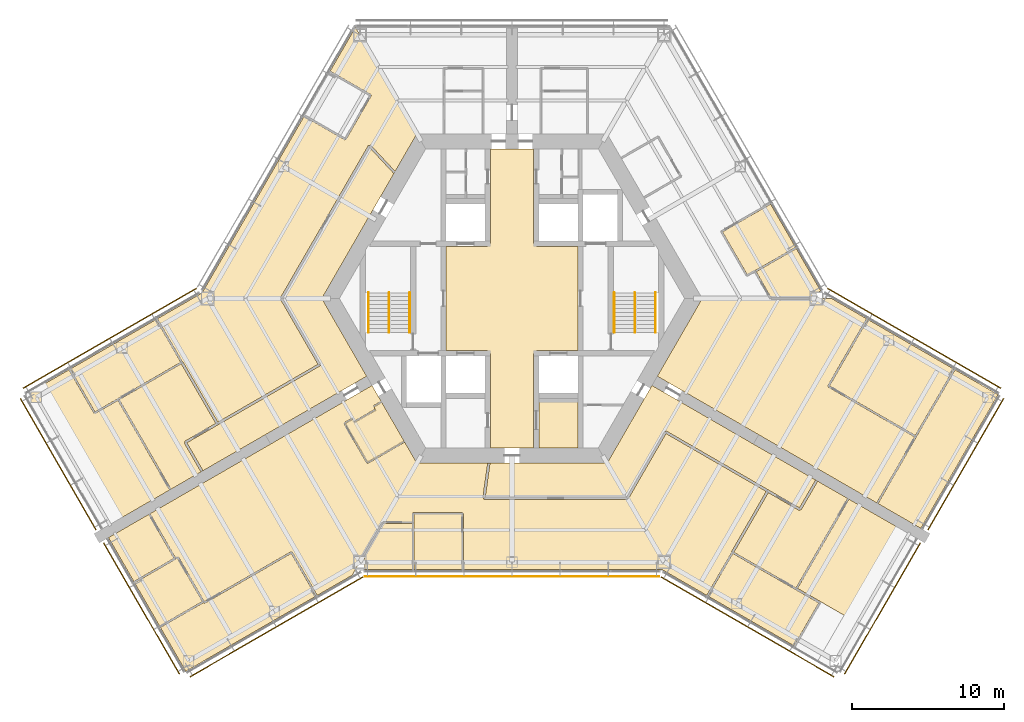
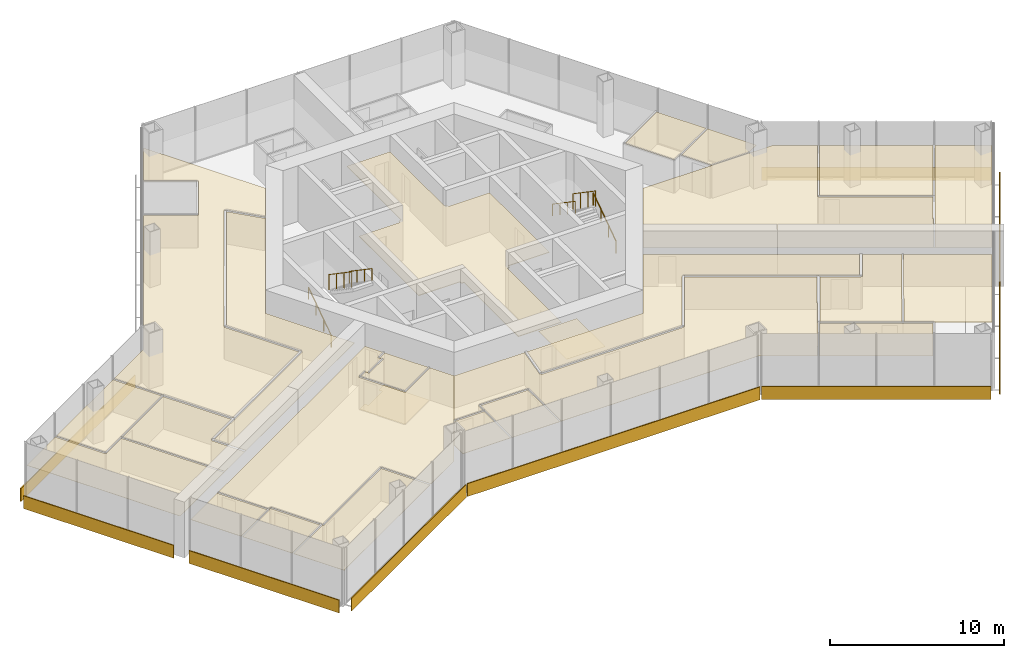
# One storey, part 17 of 18: 25 coverings, 9 shading devices, 6 railings.
"""IFC4 building model written with IfcOpenShell, lengths in metres."""

from ifc_helpers import new_model, si_unit, direction, frame, origin, origin_2d, place, context, subcontext, project, spatial, polyline, rectangle, circle, outline, extrude, material, layer, layer_set, type_object, element, save


model = new_model("IFC4")

# Units and contexts
model_context = context("Model", 3, precision=1e-05, world=origin(), true_north=direction((0.0, 1.0)))
body_context = subcontext(model_context, "Body", "Model", "MODEL_VIEW")
ifc_project = project(units=[si_unit("LENGTHUNIT", "METRE"), si_unit("AREAUNIT", "SQUARE_METRE"), si_unit("VOLUMEUNIT", "CUBIC_METRE"), si_unit("PLANEANGLEUNIT", "RADIAN"), si_unit("MASSUNIT", "GRAM", prefix="KILO")], contexts=[model_context])

# Site, building, storey
site_placement = place(None, origin())
site = spatial("IfcSite", under=ifc_project, at=site_placement, CompositionType="ELEMENT")
building_placement = place(site_placement, origin())
building = spatial("IfcBuilding", under=site, at=building_placement, Name="Kasaneha Research Tower", CompositionType="ELEMENT")
storey_placement = place(building_placement, frame((0.0, 0.0, 199.39990234375)))
storey = spatial("IfcBuildingStorey", under=building, at=storey_placement, Name="L50", CompositionType="ELEMENT", Elevation=199.39990234375)

# Covering
ifc_material_1 = material(Name="Aluminium panel ceiling", Category="aluminium")
ifc_layer_1 = layer(ifc_material_1, 0.0400390625)
ifc_layer_set_1 = layer_set([ifc_layer_1], Name="Lift lobby ceiling 40")
covering_type_1 = type_object("IfcCoveringType", Name="Lift lobby ceiling 40", PredefinedType="CEILING", material=ifc_layer_set_1)
covering_1_placement = place(storey_placement, frame((0.0, 0.0, 2.7001953125)))
element("IfcCovering", 1, at=covering_1_placement, inside=storey, type_object=covering_type_1, Name="Ceiling L50-01", PredefinedType="CEILING", context=body_context, shape_type="SweptSolid", body=[
    extrude(outline(polyline([(1.425048828125, 9.824951171875), (1.425048828125, 3.60009765625), (1.60009765625, 3.60009765625), (1.60009765625, 3.425048828125), (4.324951171875, 3.425048828125), (4.324951171875, -3.425048828125), (1.60009765625, -3.425048828125), (1.60009765625, -3.60009765625), (1.425048828125, -3.60009765625), (1.425048828125, -9.824951171875), (-1.425048828125, -9.824951171875), (-1.425048828125, -3.60009765625), (-1.60009765625, -3.60009765625), (-1.60009765625, -3.425048828125), (-4.324951171875, -3.425048828125), (-4.324951171875, 3.425048828125), (-1.60009765625, 3.425048828125), (-1.60009765625, 3.60009765625), (-1.425048828125, 3.60009765625), (-1.425048828125, 9.824951171875), (1.425048828125, 9.824951171875)])), origin(), (0.0, 0.0, 1.0), 0.039794921875),
])

# Railings
ifc_material_2 = material(Name="Steel", Category="steel")
railing_type_1 = type_object("IfcRailingType", Name="Stair balustrade 1100", PredefinedType="GUARDRAIL", material=ifc_material_2)
for number, where, name in (
    (2, (8.074951171875, 0.375, 2.12744140625), "Stair 1 balustrade L50"),
    (3, (-8.074951171875, 0.375, 2.12744140625), "Stair 2 balustrade L50"),
):
    element("IfcRailing", number, at=place(storey_placement, frame(where)), inside=storey, type_object=railing_type_1, Name=name, PredefinedType="GUARDRAIL", context=body_context, shape_type="SweptSolid", body=[
        extrude(circle(Radius=0.02392578125, at=origin_2d()), frame((0.0, 0.0, 1.076171875), z_axis=(0.0, -0.826240473404, 0.563317565952), x_axis=(1.0, 0.0, 0.0)), (0.0, 0.0, 1.0), 3.14697265625),
        extrude(circle(Radius=0.02099609375, at=origin_2d()), origin(), (0.0, 0.0, 1.0), 1.052001953125),
        extrude(circle(Radius=0.02099609375, at=origin_2d()), frame((0.0, -0.86669921875, 0.5908203125)), (0.0, 0.0, 1.0), 1.052001953125),
        extrude(circle(Radius=0.02099609375, at=origin_2d()), frame((0.0, -1.7333984375, 1.181884765625)), (0.0, 0.0, 1.0), 1.052001953125),
        extrude(circle(Radius=0.02099609375, at=origin_2d()), frame((0.0, -2.60009765625, 1.772705078125)), (0.0, 0.0, 1.0), 1.052001953125),
    ])
ifc_material_3 = material(Name="Steel", Category="steel")
railing_type_2 = type_object("IfcRailingType", Name="Stair handrail 850", PredefinedType="HANDRAIL", material=ifc_material_3)
railing_1_placement = place(storey_placement, frame((9.425048828125, -2.22509765625, 0.177490234375)))
element("IfcRailing", 4, at=railing_1_placement, inside=storey, type_object=railing_type_2, Name="Stair 1 handrail L50", PredefinedType="HANDRAIL", context=body_context, shape_type="SweptSolid", body=[
    extrude(circle(Radius=0.02392578125, at=origin_2d()), frame((0.0, 0.0, 0.826171875), z_axis=(0.0, 0.826240473404, 0.563317565952), x_axis=(-1.0, 0.0, 0.0)), (0.0, 0.0, 1.0), 3.14697265625),
    extrude(circle(Radius=0.02099609375, at=origin_2d()), origin(), (0.0, 0.0, 1.0), 0.802001953125),
    extrude(circle(Radius=0.02099609375, at=origin_2d()), frame((0.0, 0.86669921875, 0.5908203125)), (0.0, 0.0, 1.0), 0.802001953125),
    extrude(circle(Radius=0.02099609375, at=origin_2d()), frame((0.0, 1.7333984375, 1.181884765625)), (0.0, 0.0, 1.0), 0.802001953125),
    extrude(circle(Radius=0.02099609375, at=origin_2d()), frame((0.0, 2.60009765625, 1.772705078125)), (0.0, 0.0, 1.0), 0.802001953125),
])
railing_2_placement = place(storey_placement, frame((6.72509765625, 0.375, 2.12744140625)))
element("IfcRailing", 5, at=railing_2_placement, inside=storey, type_object=railing_type_2, Name="Stair 1 handrail L50", PredefinedType="HANDRAIL", context=body_context, shape_type="SweptSolid", body=[
    extrude(circle(Radius=0.02392578125, at=origin_2d()), frame((0.0, 0.0, 0.826171875), z_axis=(0.0, -0.826240473404, 0.563317565952), x_axis=(1.0, 0.0, 0.0)), (0.0, 0.0, 1.0), 3.14697265625),
    extrude(circle(Radius=0.02099609375, at=origin_2d()), origin(), (0.0, 0.0, 1.0), 0.802001953125),
    extrude(circle(Radius=0.02099609375, at=origin_2d()), frame((0.0, -0.86669921875, 0.5908203125)), (0.0, 0.0, 1.0), 0.802001953125),
    extrude(circle(Radius=0.02099609375, at=origin_2d()), frame((0.0, -1.7333984375, 1.181884765625)), (0.0, 0.0, 1.0), 0.802001953125),
    extrude(circle(Radius=0.02099609375, at=origin_2d()), frame((0.0, -2.60009765625, 1.772705078125)), (0.0, 0.0, 1.0), 0.802001953125),
])
railing_3_placement = place(storey_placement, frame((-9.425048828125, -2.22509765625, 0.177490234375)))
element("IfcRailing", 6, at=railing_3_placement, inside=storey, type_object=railing_type_2, Name="Stair 2 handrail L50", PredefinedType="HANDRAIL", context=body_context, shape_type="SweptSolid", body=[
    extrude(circle(Radius=0.02392578125, at=origin_2d()), frame((0.0, 0.0, 0.826171875), z_axis=(0.0, 0.826240473404, 0.563317565952), x_axis=(-1.0, 0.0, 0.0)), (0.0, 0.0, 1.0), 3.14697265625),
    extrude(circle(Radius=0.02099609375, at=origin_2d()), origin(), (0.0, 0.0, 1.0), 0.802001953125),
    extrude(circle(Radius=0.02099609375, at=origin_2d()), frame((0.0, 0.86669921875, 0.5908203125)), (0.0, 0.0, 1.0), 0.802001953125),
    extrude(circle(Radius=0.02099609375, at=origin_2d()), frame((0.0, 1.7333984375, 1.181884765625)), (0.0, 0.0, 1.0), 0.802001953125),
    extrude(circle(Radius=0.02099609375, at=origin_2d()), frame((0.0, 2.60009765625, 1.772705078125)), (0.0, 0.0, 1.0), 0.802001953125),
])
railing_4_placement = place(storey_placement, frame((-6.72509765625, 0.375, 2.12744140625)))
element("IfcRailing", 7, at=railing_4_placement, inside=storey, type_object=railing_type_2, Name="Stair 2 handrail L50", PredefinedType="HANDRAIL", context=body_context, shape_type="SweptSolid", body=[
    extrude(circle(Radius=0.02392578125, at=origin_2d()), frame((0.0, 0.0, 0.826171875), z_axis=(0.0, -0.826240473404, 0.563317565952), x_axis=(1.0, 0.0, 0.0)), (0.0, 0.0, 1.0), 3.14697265625),
    extrude(circle(Radius=0.02099609375, at=origin_2d()), origin(), (0.0, 0.0, 1.0), 0.802001953125),
    extrude(circle(Radius=0.02099609375, at=origin_2d()), frame((0.0, -0.86669921875, 0.5908203125)), (0.0, 0.0, 1.0), 0.802001953125),
    extrude(circle(Radius=0.02099609375, at=origin_2d()), frame((0.0, -1.7333984375, 1.181884765625)), (0.0, 0.0, 1.0), 0.802001953125),
    extrude(circle(Radius=0.02099609375, at=origin_2d()), frame((0.0, -2.60009765625, 1.772705078125)), (0.0, 0.0, 1.0), 0.802001953125),
])

# Coverings
ifc_material_4 = material(Name="Gypsum ceiling board", Category="gypsum")
ifc_layer_2 = layer(ifc_material_4, 0.02001953125)
ifc_layer_set_2 = layer_set([ifc_layer_2], Name="Suspended ceiling 20")
covering_type_2 = type_object("IfcCoveringType", Name="Suspended ceiling 20", PredefinedType="CEILING", material=ifc_layer_set_2)
covering_2_placement = place(storey_placement, frame((0.0, 0.0, 2.25)))
element("IfcCovering", 8, at=covering_2_placement, inside=storey, type_object=covering_type_2, Name="Ceiling L50-30", PredefinedType="CEILING", context=body_context, shape_type="SweptSolid", body=[
    extrude(outline(polyline([(18.65869140625, 3.323486328125), (18.64111328125, 3.3134765625), (18.6162109375, 3.356689453125), (15.944580078125, 1.814208984375), (15.944580078125, 1.814208984375), (15.451171875, 1.578857421875), (13.835693359375, 4.376953125), (16.99658203125, 6.201904296875), (18.65869140625, 3.323486328125)])), origin(), (0.0, 0.0, 1.0), 0.02001953125),
])
covering_3_placement = place(storey_placement, frame((0.0, 0.0, 2.25)))
element("IfcCovering", 9, at=covering_3_placement, inside=storey, type_object=covering_type_2, Name="Ceiling L50-31", PredefinedType="CEILING", context=body_context, shape_type="SweptSolid", body=[
    extrude(outline(polyline([(16.997802734375, 0.0), (16.986328125, 0.02001953125), (17.029541015625, 0.044921875), (16.0458984375, 1.75732421875), (18.666259765625, 3.27001953125), (18.64111328125, 3.3134765625), (18.65869140625, 3.323486328125), (20.28759765625, 0.501708984375), (19.41845703125, 0.0), (16.997802734375, 0.0)])), origin(), (0.0, 0.0, 1.0), 0.02001953125),
])
covering_4_placement = place(storey_placement, frame((0.0, 0.0, 2.25)))
element("IfcCovering", 10, at=covering_4_placement, inside=storey, type_object=covering_type_2, Name="Ceiling L50-36", PredefinedType="CEILING", context=body_context, shape_type="SweptSolid", body=[
    extrude(outline(polyline([(-9.5498046875, -5.109375), (-10.3291015625, -5.559326171875), (-10.3291015625, -5.559326171875), (-20.37109375, -11.357177734375), (-20.381103515625, -11.33984375), (-20.316162109375, -11.30224609375), (-21.36865234375, -9.479248046875), (-19.333984375, -8.3046875), (-19.333984375, -8.3046875), (-12.60400390625, -4.4189453125), (-12.6416015625, -4.35400390625), (-12.57666015625, -4.316650390625), (-15.06884765625, 0.0), (-9.345947265625, 9.912353515625), (-7.7890625, 8.24267578125), (-7.734130859375, 8.2939453125), (-7.719970703125, 8.278564453125), (-12.49951171875, 0.0), (-9.5498046875, -5.109375)])), origin(), (0.0, 0.0, 1.0), 0.02001953125),
])
covering_5_placement = place(storey_placement, frame((0.0, 0.0, 2.25)))
element("IfcCovering", 11, at=covering_5_placement, inside=storey, type_object=covering_type_2, Name="Ceiling L50-37", PredefinedType="CEILING", context=body_context, shape_type="SweptSolid", body=[
    extrude(outline(polyline([(-29.075439453125, -4.661865234375), (-29.065185546875, -4.6796875), (-29.108642578125, -4.70458984375), (-27.46826171875, -7.544921875), (-27.425048828125, -7.52001953125), (-27.400146484375, -7.5634765625), (-25.89404296875, -6.69921875), (-22.5029296875, -12.56494140625), (-22.459716796875, -12.539794921875), (-22.44970703125, -12.55712890625), (-23.827392578125, -13.3525390625), (-26.866455078125, -15.107177734375), (-31.94189453125, -6.317138671875), (-29.075439453125, -4.661865234375)])), origin(), (0.0, 0.0, 1.0), 0.02001953125),
])
covering_6_placement = place(storey_placement, frame((0.0, 0.0, 2.25)))
element("IfcCovering", 12, at=covering_6_placement, inside=storey, type_object=covering_type_2, Name="Ceiling L50-38", PredefinedType="CEILING", context=body_context, shape_type="SweptSolid", body=[
    extrude(outline(polyline([(-23.34228515625, -1.352294921875), (-23.332275390625, -1.36962890625), (-23.37548828125, -1.39453125), (-21.766845703125, -4.1904296875), (-25.903076171875, -6.583740234375), (-25.900634765625, -6.587890625), (-27.40673828125, -7.451904296875), (-29.02197265625, -4.654541015625), (-29.06494140625, -4.679443359375), (-29.074951171875, -4.662109375), (-23.34228515625, -1.352294921875)])), origin(), (0.0, 0.0, 1.0), 0.02001953125),
])
covering_7_placement = place(storey_placement, frame((0.0, 0.0, 2.25)))
element("IfcCovering", 13, at=covering_7_placement, inside=storey, type_object=covering_type_2, Name="Ceiling L50-40", PredefinedType="CEILING", context=body_context, shape_type="SweptSolid", body=[
    extrude(outline(polyline([(-9.360595703125, 10.037841796875), (-9.360595703125, 10.037841796875), (-9.425048828125, 10.0751953125), (-15.220458984375, 0.03759765625), (-15.15576171875, 0.000244140625), (-15.156005859375, 0.000244140625), (-15.15576171875, -0.000244140625), (-15.220458984375, -0.03759765625), (-12.744140625, -4.32666015625), (-19.33544921875, -8.13232421875), (-21.62939453125, -4.16845703125), (-21.6552734375, -4.18359375), (-23.288818359375, -1.3447265625), (-23.331787109375, -1.369384765625), (-23.341796875, -1.35205078125), (-20.365966796875, 0.365966796875), (-13.64111328125, 12.01416015625), (-13.62353515625, 12.004150390625), (-13.6484375, 11.961181640625), (-10.981201171875, 10.421142578125), (-10.9560546875, 10.464599609375), (-10.912841796875, 10.439453125), (-9.247314453125, 13.32421875), (-9.290283203125, 13.34912109375), (-9.2900390625, 13.349365234375), (-9.29052734375, 13.349609375), (-9.265625, 13.392578125), (-11.9501953125, 14.9423828125), (-10.28857421875, 17.820556640625), (-6.249755859375, 10.824951171875), (-7.6806640625, 8.346435546875), (-9.305419921875, 10.0888671875), (-9.360107421875, 10.03759765625), (-9.3603515625, 10.03759765625), (-9.360595703125, 10.037841796875)])), origin(), (0.0, 0.0, 1.0), 0.02001953125),
])
covering_8_placement = place(storey_placement, frame((0.0, 0.0, 2.25)))
element("IfcCovering", 14, at=covering_8_placement, inside=storey, type_object=covering_type_2, Name="Ceiling L50-41", PredefinedType="CEILING", context=body_context, shape_type="SweptSolid", body=[
    extrude(outline(polyline([(-22.44921875, -12.556884765625), (-22.459228515625, -12.53955078125), (-22.416259765625, -12.5146484375), (-25.809814453125, -6.64501953125), (-21.734130859375, -4.286865234375), (-19.46533203125, -8.207275390625), (-21.5087890625, -9.386962890625), (-21.47119140625, -9.451904296875), (-21.5361328125, -9.489501953125), (-20.446044921875, -11.377197265625), (-20.381591796875, -11.340087890625), (-20.37158203125, -11.357421875), (-22.44921875, -12.556884765625)])), origin(), (0.0, 0.0, 1.0), 0.02001953125),
])
covering_9_placement = place(storey_placement, frame((0.0, 0.0, 2.25)))
element("IfcCovering", 15, at=covering_9_placement, inside=storey, type_object=covering_type_2, Name="Ceiling L50-42", PredefinedType="CEILING", context=body_context, shape_type="SweptSolid", body=[
    extrude(outline(polyline([(-10.35498046875, -8.11474609375), (-10.35498046875, -8.11474609375), (-10.330078125, -8.157958984375), (-8.9443359375, -7.35791015625), (-8.994384765625, -7.271240234375), (-8.994384765625, -7.271240234375), (-9.09423828125, -7.09814453125), (-9.09423828125, -7.09814453125), (-9.0693359375, -7.141357421875), (-8.56689453125, -6.851318359375), (-8.592041015625, -6.80810546875), (-8.57470703125, -6.798095703125), (-7.07470703125, -9.396240234375), (-7.092041015625, -9.40625), (-7.116943359375, -9.36279296875), (-9.481201171875, -10.727783203125), (-10.931396484375, -8.21630859375), (-10.455078125, -7.94140625), (-10.35498046875, -8.11474609375)])), origin(), (0.0, 0.0, 1.0), 0.02001953125),
])
covering_10_placement = place(storey_placement, frame((0.0, 0.0, 2.25)))
element("IfcCovering", 16, at=covering_10_placement, inside=storey, type_object=covering_type_2, Name="Ceiling L50-43", PredefinedType="CEILING", context=body_context, shape_type="SweptSolid", body=[
    extrude(outline(polyline([(-19.11962890625, -21.9052734375), (-18.574951171875, -22.84912109375), (-21.441162109375, -24.50390625), (-23.108154296875, -21.617431640625), (-20.247314453125, -19.970947265625), (-20.2724609375, -19.927001953125), (-20.233154296875, -19.994384765625), (-20.22509765625, -19.99072265625), (-20.199951171875, -20.033935546875), (-14.510498046875, -16.749267578125), (-12.885498046875, -19.563720703125), (-18.574951171875, -22.8486328125), (-19.11962890625, -21.9052734375)])), origin(), (0.0, 0.0, 1.0), 0.02001953125),
])
covering_11_placement = place(storey_placement, frame((0.0, 0.0, 2.25)))
element("IfcCovering", 17, at=covering_11_placement, inside=storey, type_object=covering_type_2, Name="Ceiling L50-44", PredefinedType="CEILING", context=body_context, shape_type="SweptSolid", body=[
    extrude(outline(polyline([(-24.7998046875, -18.686767578125), (-22.110595703125, -17.13427734375), (-22.1357421875, -17.091064453125), (-22.1005859375, -17.07080078125), (-22.1005859375, -17.07080078125), (-22.010009765625, -17.018310546875), (-20.344482421875, -19.911376953125), (-23.15771484375, -21.530517578125), (-24.7998046875, -18.686767578125)])), origin(), (0.0, 0.0, 1.0), 0.02001953125),
])
covering_12_placement = place(storey_placement, frame((0.0, 0.0, 2.25)))
element("IfcCovering", 18, at=covering_12_placement, inside=storey, type_object=covering_type_2, Name="Ceiling L50-45", PredefinedType="CEILING", context=body_context, shape_type="SweptSolid", body=[
    extrude(outline(polyline([(-23.83154296875, -14.163330078125), (-23.82177734375, -14.1806640625), (-23.864990234375, -14.20556640625), (-22.212158203125, -17.077392578125), (-24.849609375, -18.60009765625), (-26.516357421875, -15.71337890625), (-23.83154296875, -14.163330078125)])), origin(), (0.0, 0.0, 1.0), 0.02001953125),
])
covering_13_placement = place(storey_placement, frame((0.0, 0.0, 2.25)))
element("IfcCovering", 19, at=covering_13_placement, inside=storey, type_object=covering_type_2, Name="Ceiling L50-46", PredefinedType="CEILING", context=body_context, shape_type="SweptSolid", body=[
    extrude(outline(polyline([(-9.19970703125, -5.715576171875), (-8.574951171875, -6.797607421875), (-8.59228515625, -6.8076171875), (-8.616943359375, -6.764892578125), (-9.119384765625, -7.0546875), (-9.094482421875, -7.09765625), (-9.0947265625, -7.097900390625), (-8.99462890625, -7.271484375), (-10.379638671875, -8.071044921875), (-10.47998046875, -7.897705078125), (-10.480224609375, -7.897705078125), (-10.5048828125, -7.854736328125), (-11.024658203125, -8.15478515625), (-10.999755859375, -8.19775390625), (-11.0, -8.197998046875), (-11.0, -8.1982421875), (-11.04296875, -8.22314453125), (-9.54296875, -10.8212890625), (-9.5, -10.79638671875), (-9.5, -10.796630859375), (-9.49951171875, -10.79638671875), (-9.474609375, -10.839599609375), (-7.06689453125, -9.449462890625), (-7.091796875, -9.40673828125), (-7.074462890625, -9.396728515625), (-6.249755859375, -10.824951171875), (-8.469970703125, -14.67041015625), (-8.4755859375, -14.67041015625), (-8.475830078125, -14.680419921875), (-10.5, -18.1865234375), (-12.798828125, -19.513916015625), (-14.448974609375, -16.656005859375), (-14.4921875, -16.680908203125), (-14.492431640625, -16.680419921875), (-14.492431640625, -16.680419921875), (-14.51708984375, -16.6376953125), (-20.25, -19.947509765625), (-20.2255859375, -19.989990234375), (-20.233154296875, -19.994384765625), (-20.274169921875, -19.923095703125), (-20.2353515625, -19.900634765625), (-21.923583984375, -16.968505859375), (-21.977294921875, -16.99951171875), (-22.100830078125, -17.0703125), (-23.7783203125, -14.15576171875), (-23.8212890625, -14.180419921875), (-23.831298828125, -14.1630859375), (-10.84521484375, -6.66552734375), (-10.84521484375, -6.66552734375), (-9.979248046875, -6.16552734375), (-9.979248046875, -6.16552734375), (-9.19970703125, -5.715576171875)])), origin(), (0.0, 0.0, 1.0), 0.02001953125),
])
covering_14_placement = place(storey_placement, frame((0.0, 0.0, 2.25)))
element("IfcCovering", 20, at=covering_14_placement, inside=storey, type_object=covering_type_2, Name="Ceiling L50-47", PredefinedType="CEILING", context=body_context, shape_type="SweptSolid", body=[
    extrude(outline(polyline([(29.03173828125, -4.63720703125), (26.50390625, -9.00439453125), (20.860595703125, -5.750732421875), (23.37548828125, -1.39453125), (23.332275390625, -1.36962890625), (23.34228515625, -1.352294921875), (29.03173828125, -4.63720703125)])), origin(), (0.0, 0.0, 1.0), 0.02001953125),
])
covering_15_placement = place(storey_placement, frame((0.0, 0.0, 2.25)))
element("IfcCovering", 21, at=covering_15_placement, inside=storey, type_object=covering_type_2, Name="Ceiling L50-48", PredefinedType="CEILING", context=body_context, shape_type="SweptSolid", body=[
    extrude(outline(polyline([(24.007568359375, -13.45654296875), (24.017578125, -13.439208984375), (24.06103515625, -13.464111328125), (26.56982421875, -9.10009765625), (26.5654296875, -9.09765625), (29.11865234375, -4.686767578125), (31.94189453125, -6.317138671875), (26.866455078125, -15.107177734375), (26.86328125, -15.10546875), (24.007568359375, -13.45654296875)])), origin(), (0.0, 0.0, 1.0), 0.02001953125),
])
covering_16_placement = place(storey_placement, frame((0.0, 0.0, 2.25)))
element("IfcCovering", 22, at=covering_16_placement, inside=storey, type_object=covering_type_2, Name="Ceiling L50-49", PredefinedType="CEILING", context=body_context, shape_type="SweptSolid", body=[
    extrude(outline(polyline([(9.5498046875, -5.109375), (12.49951171875, 0.0), (16.93994140625, 0.0), (16.94287109375, -0.0048828125), (16.951416015625, 0.0), (21.0, 0.0), (23.341796875, -1.35205078125), (23.331787109375, -1.369384765625), (23.288818359375, -1.344482421875), (20.748779296875, -5.743896484375), (20.7919921875, -5.768798828125), (20.791748046875, -5.769287109375), (20.7919921875, -5.769287109375), (20.767333984375, -5.812255859375), (26.458251953125, -9.093505859375), (23.974365234375, -13.414306640625), (24.017578125, -13.439208984375), (24.007568359375, -13.45654296875), (15.246826171875, -8.398681640625), (10.3291015625, -5.559326171875), (10.3291015625, -5.559326171875), (9.5498046875, -5.109375)])), origin(), (0.0, 0.0, 1.0), 0.02001953125),
])
covering_17_placement = place(storey_placement, frame((0.0, 0.0, 2.25)))
element("IfcCovering", 23, at=covering_17_placement, inside=storey, type_object=covering_type_2, Name="Ceiling L50-50", PredefinedType="CEILING", context=body_context, shape_type="SweptSolid", body=[
    extrude(outline(polyline([(10.091552734375, -8.77099609375), (10.026611328125, -8.7333984375), (7.534423828125, -13.050048828125), (-1.75830078125, -13.050048828125), (-1.449951171875, -10.85546875), (-1.524169921875, -10.844970703125), (-1.521240234375, -10.824951171875), (6.249755859375, -10.824951171875), (9.19970703125, -5.715576171875), (9.979248046875, -6.16552734375), (9.979248046875, -6.16552734375), (10.84521484375, -6.66552734375), (10.84521484375, -6.66552734375), (20.021240234375, -11.96337890625), (20.01123046875, -11.980712890625), (19.9462890625, -11.943115234375), (18.893798828125, -13.76611328125), (16.850341796875, -12.58642578125), (16.850341796875, -12.58642578125), (10.129150390625, -8.7060546875), (10.091552734375, -8.77099609375), (10.091552734375, -8.770751953125), (10.091552734375, -8.77099609375)])), origin(), (0.0, 0.0, 1.0), 0.02001953125),
])
covering_18_placement = place(storey_placement, frame((0.0, 0.0, 2.25)))
element("IfcCovering", 24, at=covering_18_placement, inside=storey, type_object=covering_type_2, Name="Ceiling L50-51", PredefinedType="CEILING", context=body_context, shape_type="SweptSolid", body=[
    extrude(outline(polyline([(18.762939453125, -19.050537109375), (22.1328125, -13.20556640625), (22.089599609375, -13.1806640625), (22.099609375, -13.163330078125), (26.516357421875, -15.71337890625), (23.133056640625, -21.573486328125), (18.762939453125, -19.050537109375)])), origin(), (0.0, 0.0, 1.0), 0.02001953125),
])
covering_19_placement = place(storey_placement, frame((0.0, 0.0, 2.25)))
element("IfcCovering", 25, at=covering_19_placement, inside=storey, type_object=covering_type_2, Name="Ceiling L50-52", PredefinedType="CEILING", context=body_context, shape_type="SweptSolid", body=[
    extrude(outline(polyline([(-6.492919921875, -17.820556640625), (-6.492919921875, -17.800537109375), (-6.44287109375, -17.800537109375), (-6.44287109375, -14.72509765625), (-6.44287109375, -14.715576171875), (-6.44287109375, -14.17041015625), (-3.29638671875, -14.17041015625), (-3.29638671875, -17.800537109375), (-3.246337890625, -17.800537109375), (-3.246337890625, -17.820556640625), (-6.492919921875, -17.820556640625)])), origin(), (0.0, 0.0, 1.0), 0.02001953125),
])
covering_20_placement = place(storey_placement, frame((0.0, 0.0, 2.25)))
element("IfcCovering", 26, at=covering_20_placement, inside=storey, type_object=covering_type_2, Name="Ceiling L50-53", PredefinedType="CEILING", context=body_context, shape_type="SweptSolid", body=[
    extrude(outline(polyline([(12.885498046875, -19.563720703125), (14.512451171875, -16.75537109375), (18.653076171875, -19.140869140625), (18.655517578125, -19.13671875), (20.15673828125, -20.0087890625), (18.531982421875, -22.82373046875), (12.885498046875, -19.563720703125)])), origin(), (0.0, 0.0, 1.0), 0.02001953125),
])
covering_21_placement = place(storey_placement, frame((0.0, 0.0, 2.25)))
element("IfcCovering", 27, at=covering_21_placement, inside=storey, type_object=covering_type_2, Name="Ceiling L50-54", PredefinedType="CEILING", context=body_context, shape_type="SweptSolid", body=[
    extrude(outline(polyline([(-9.709228515625, -16.81689453125), (-8.498779296875, -14.720458984375), (-8.475830078125, -14.720458984375), (-8.475830078125, -14.7705078125), (-6.542724609375, -14.77490234375), (-6.542724609375, -17.800537109375), (-6.492919921875, -17.800537109375), (-6.492919921875, -17.820556640625), (-9.709228515625, -17.820556640625), (-9.709228515625, -16.81689453125)])), origin(), (0.0, 0.0, 1.0), 0.02001953125),
])
covering_22_placement = place(storey_placement, frame((0.0, 0.0, 2.25)))
element("IfcCovering", 28, at=covering_22_placement, inside=storey, type_object=covering_type_2, Name="Ceiling L50-55", PredefinedType="CEILING", context=body_context, shape_type="SweptSolid", body=[
    extrude(outline(polyline([(-3.246337890625, -14.1201171875), (-3.246337890625, -14.070556640625), (-6.492919921875, -14.070556640625), (-6.492919921875, -14.1201171875), (-6.492919921875, -14.1201171875), (-6.492919921875, -14.12060546875), (-6.542724609375, -14.12060546875), (-6.542724609375, -14.6748046875), (-8.469970703125, -14.67041015625), (-6.249755859375, -10.824951171875), (-1.52197265625, -10.824951171875), (-1.524658203125, -10.844970703125), (-1.598388671875, -10.83447265625), (-1.9189453125, -13.114501953125), (-1.8447265625, -13.125), (-1.8447265625, -13.12548828125), (-1.844482421875, -13.12548828125), (-1.844482421875, -13.199951171875), (7.57763671875, -13.199951171875), (7.57763671875, -13.12548828125), (7.577880859375, -13.12548828125), (7.577880859375, -13.125244140625), (7.642578125, -13.16259765625), (10.119140625, -8.873291015625), (16.71044921875, -12.678955078125), (14.4248046875, -16.647216796875), (14.45068359375, -16.662353515625), (12.798828125, -19.513916015625), (9.865966796875, -17.820556640625), (-3.245849609375, -17.820556640625), (-3.245849609375, -17.800537109375), (-3.1962890625, -17.800537109375), (-3.1962890625, -14.12060546875), (-3.24609375, -14.12060546875), (-3.24609375, -14.1201171875), (-3.246337890625, -14.1201171875)])), origin(), (0.0, 0.0, 1.0), 0.02001953125),
])
covering_23_placement = place(storey_placement, frame((0.0, 0.0, 2.25)))
element("IfcCovering", 29, at=covering_23_placement, inside=storey, type_object=covering_type_2, Name="Ceiling L50-56", PredefinedType="CEILING", context=body_context, shape_type="SweptSolid", body=[
    extrude(outline(polyline([(22.09912109375, -13.1630859375), (22.089111328125, -13.180419921875), (22.04638671875, -13.15576171875), (18.65966796875, -19.029296875), (14.57958984375, -16.6787109375), (16.84033203125, -12.75390625), (18.8837890625, -13.93359375), (18.921142578125, -13.86865234375), (18.986083984375, -13.906005859375), (20.076171875, -12.018310546875), (20.011474609375, -11.98095703125), (20.021484375, -11.963623046875), (22.09912109375, -13.1630859375)])), origin(), (0.0, 0.0, 1.0), 0.02001953125),
])

# Shading devices
ifc_material_5 = material(Name="Terracotta", Category="masonry")
ifc_layer_3 = layer(ifc_material_5, 0.06005859375)
ifc_layer_set_3 = layer_set([ifc_layer_3], Name="Terracotta baguette screen")
shading_device_type = type_object("IfcShadingDeviceType", Name="Terracotta baguette screen", PredefinedType="USERDEFINED", material=ifc_layer_set_3)
shading_device_1_placement = place(storey_placement, frame((0.0, -18.2705078125, -0.449951171875), z_axis=(0.0, 0.0, 1.0), x_axis=(1.0, 0.0, 0.0)))
element("IfcShadingDevice", 30, at=shading_device_1_placement, inside=storey, type_object=shading_device_type, Name="Baguette screen L50 01", ObjectType="TERRACOTTA BAGUETTE SCREEN", PredefinedType="USERDEFINED", context=body_context, shape_type="SweptSolid", body=[
    extrude(rectangle(XDim=19.37841796875, YDim=0.06005859375, at=origin_2d()), origin(), (0.0, 0.0, 1.0), 0.89990234375),
])
shading_device_2_placement = place(storey_placement, frame((15.483642578125, -21.58349609375, -0.449951171875), z_axis=(0.0, 0.0, 1.0), x_axis=(0.866025411464, -0.499999986699, 0.0)))
element("IfcShadingDevice", 31, at=shading_device_2_placement, inside=storey, type_object=shading_device_type, Name="Baguette screen L50 02", ObjectType="TERRACOTTA BAGUETTE SCREEN", PredefinedType="USERDEFINED", context=body_context, shape_type="SweptSolid", body=[
    extrude(rectangle(XDim=13.13916015625, YDim=0.06005859375, at=origin_2d()), origin(), (0.0, 0.0, 1.0), 0.89990234375),
])
for number, where, z_axis, x_axis, name in (
    (32, (24.343505859375, -20.376708984375, -0.449951171875), (0.0, 0.0, 1.0), (0.500000011442, 0.866025397178, 0.0), "Baguette screen L50 03"),
    (33, (29.818603515625, -10.893798828125, -0.449951171875), (0.0, 0.0, 1.0), (0.500000011442, 0.866025397178, 0.0), "Baguette screen L50 04"),
):
    element("IfcShadingDevice", number, at=place(storey_placement, frame(where, z_axis=z_axis, x_axis=x_axis)), inside=storey, type_object=shading_device_type, Name=name, ObjectType="TERRACOTTA BAGUETTE SCREEN", PredefinedType="USERDEFINED", context=body_context, shape_type="SweptSolid", body=[
        extrude(rectangle(XDim=9.949951171875, YDim=0.06005859375, at=origin_2d()), origin(), (0.0, 0.0, 1.0), 0.89990234375),
    ])
for number, where, z_axis, x_axis, name in (
    (34, (26.43359375, -2.617431640625, -0.449951171875), (0.0, 0.0, 1.0), (-0.866025411464, 0.499999986699, 0.0), "Baguette screen L50 05"),
    (35, (-26.43359375, -2.617431640625, -0.449951171875), (0.0, 0.0, 1.0), (-0.866025411464, -0.499999986699, 0.0), "Baguette screen L50 09"),
):
    element("IfcShadingDevice", number, at=place(storey_placement, frame(where, z_axis=z_axis, x_axis=x_axis)), inside=storey, type_object=shading_device_type, Name=name, ObjectType="TERRACOTTA BAGUETTE SCREEN", PredefinedType="USERDEFINED", context=body_context, shape_type="SweptSolid", body=[
        extrude(rectangle(XDim=13.13916015625, YDim=0.06005859375, at=origin_2d()), origin(), (0.0, 0.0, 1.0), 0.89990234375),
    ])
for number, where, z_axis, x_axis, name in (
    (36, (-29.818603515625, -10.893798828125, -0.449951171875), (0.0, 0.0, 1.0), (0.500000011442, -0.866025397178, 0.0), "Baguette screen L50 10"),
    (37, (-24.343505859375, -20.376708984375, -0.449951171875), (0.0, 0.0, 1.0), (0.500000011442, -0.866025397178, 0.0), "Baguette screen L50 11"),
):
    element("IfcShadingDevice", number, at=place(storey_placement, frame(where, z_axis=z_axis, x_axis=x_axis)), inside=storey, type_object=shading_device_type, Name=name, ObjectType="TERRACOTTA BAGUETTE SCREEN", PredefinedType="USERDEFINED", context=body_context, shape_type="SweptSolid", body=[
        extrude(rectangle(XDim=9.949951171875, YDim=0.06005859375, at=origin_2d()), origin(), (0.0, 0.0, 1.0), 0.89990234375),
    ])
shading_device_3_placement = place(storey_placement, frame((-15.483642578125, -21.58349609375, -0.449951171875), z_axis=(0.0, 0.0, 1.0), x_axis=(0.866025411464, 0.499999986699, 0.0)))
element("IfcShadingDevice", 38, at=shading_device_3_placement, inside=storey, type_object=shading_device_type, Name="Baguette screen L50 12", ObjectType="TERRACOTTA BAGUETTE SCREEN", PredefinedType="USERDEFINED", context=body_context, shape_type="SweptSolid", body=[
    extrude(rectangle(XDim=13.13916015625, YDim=0.06005859375, at=origin_2d()), origin(), (0.0, 0.0, 1.0), 0.89990234375),
])

# Coverings
ifc_material_6 = material(Name="Vinyl sheet flooring", Category="plastic")
ifc_layer_4 = layer(ifc_material_6, 0.0048828125)
ifc_layer_set_4 = layer_set([ifc_layer_4], Name="Wet room sheet flooring 5")
covering_type_3 = type_object("IfcCoveringType", Name="Wet room sheet flooring 5", PredefinedType="FLOORING", material=ifc_layer_set_4)
covering_24_placement = place(storey_placement, origin())
element("IfcCovering", 39, at=covering_24_placement, inside=storey, type_object=covering_type_3, Name="Floor finish L50-13", PredefinedType="FLOORING", context=body_context, shape_type="SweptSolid", body=[
    extrude(outline(polyline([(1.77490234375, -9.824951171875), (1.77490234375, -6.574951171875), (4.324951171875, -6.574951171875), (4.324951171875, -9.824951171875), (1.77490234375, -9.824951171875)])), origin(), (0.0, 0.0, 1.0), 0.005126953125),
])
covering_25_placement = place(storey_placement, origin())
element("IfcCovering", 40, at=covering_25_placement, inside=storey, type_object=covering_type_3, Name="Floor finish L50-42", PredefinedType="FLOORING", context=body_context, shape_type="SweptSolid", body=[
    extrude(outline(polyline([(-10.99951171875, -8.1982421875), (-10.47998046875, -7.898193359375), (-10.35498046875, -8.11474609375), (-8.96923828125, -7.314697265625), (-9.09423828125, -7.09814453125), (-8.57470703125, -6.798095703125), (-7.07470703125, -9.396240234375), (-9.49951171875, -10.796142578125), (-10.99951171875, -8.1982421875)])), origin(), (0.0, 0.0, 1.0), 0.005126953125),
])

save(model, "model.ifc")
